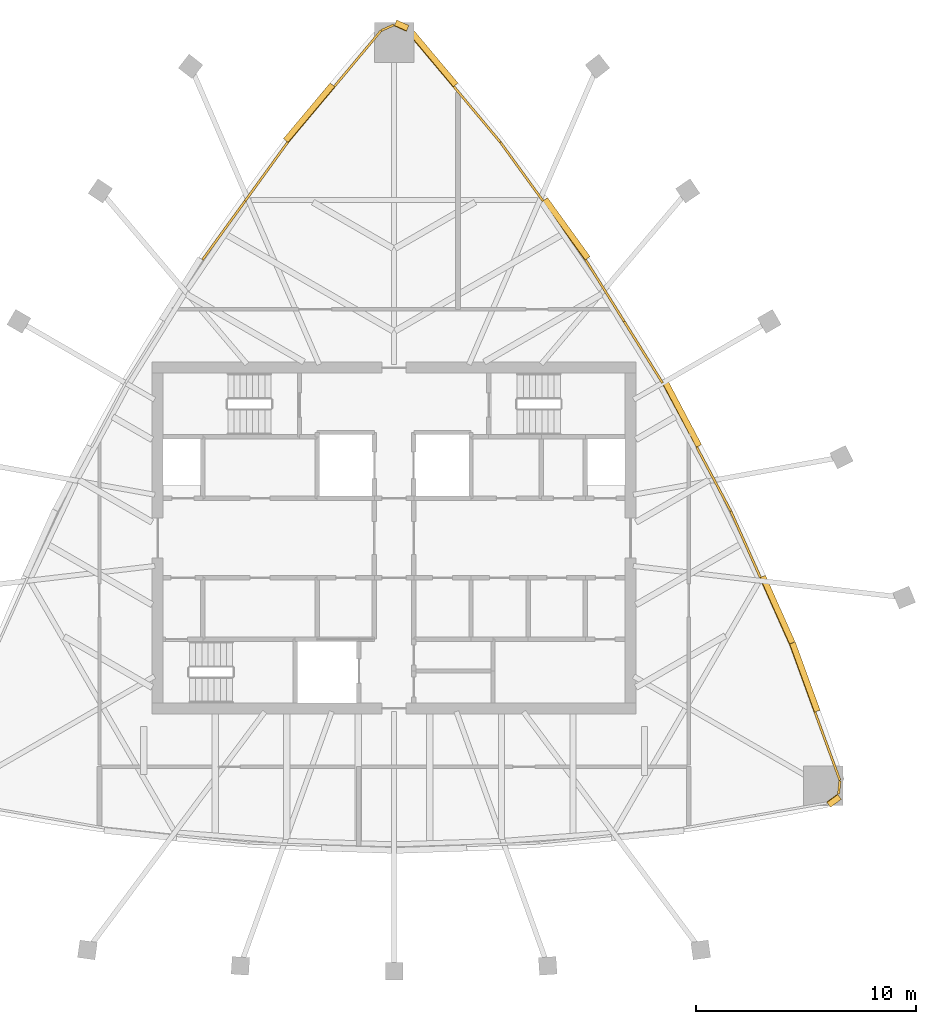
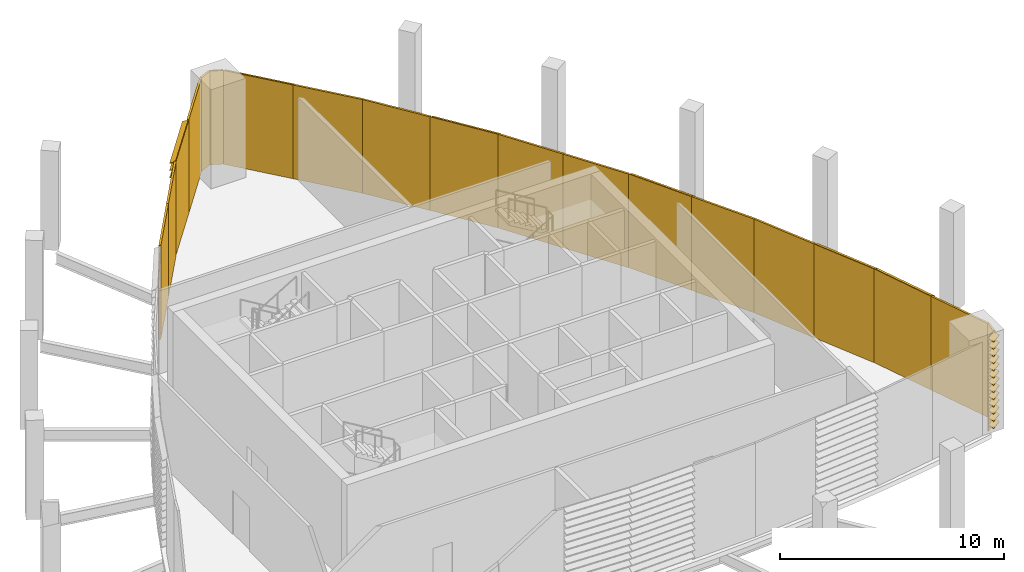
# One storey, part 8 of 8: 12 coverings, 8 shading devices.
"""IFC4 building model written with IfcOpenShell, lengths in metres."""

from ifc_helpers import new_model, si_unit, direction, frame, origin, place, context, subcontext, project, spatial, polyline, outline, extrude, material, layer, layer_set, type_object, element, save


model = new_model("IFC4")

# Units and contexts
model_context = context("Model", 3, precision=1e-05, world=origin(), true_north=direction((0.0, 1.0)))
body_context = subcontext(model_context, "Body", "Model", "MODEL_VIEW")
ifc_project = project(units=[si_unit("LENGTHUNIT", "METRE"), si_unit("AREAUNIT", "SQUARE_METRE"), si_unit("VOLUMEUNIT", "CUBIC_METRE"), si_unit("PLANEANGLEUNIT", "RADIAN"), si_unit("MASSUNIT", "GRAM", prefix="KILO")], contexts=[model_context])

# Site, building, storey
site_placement = place(None, origin())
site = spatial("IfcSite", under=ifc_project, at=site_placement, CompositionType="ELEMENT")
building_placement = place(site_placement, origin())
building = spatial("IfcBuilding", under=site, at=building_placement, Name="Sierra Prisma Convention Tower", CompositionType="ELEMENT")
storey_placement = place(building_placement, frame((0.0, 0.0, 344.800048828125)))
storey = spatial("IfcBuildingStorey", under=building, at=storey_placement, Name="L77", CompositionType="ELEMENT", Elevation=344.800048828125)

# Coverings
ifc_material_1 = material(Name="Aluminium composite bronze anodised", Category="aluminium")
ifc_layer = layer(ifc_material_1, 0.10009765625)
ifc_layer_set = layer_set([ifc_layer], Name="Bronze cladding panel")
covering_type = type_object("IfcCoveringType", Name="Bronze cladding panel", PredefinedType="CLADDING", material=ifc_layer_set)
covering_1_placement = place(storey_placement, origin())
element("IfcCovering", 1, at=covering_1_placement, inside=storey, type_object=covering_type, Name="Crown cladding L77.14", PredefinedType="CLADDING", context=body_context, shape_type="SweptSolid", body=[
    extrude(outline(polyline([(20.163330078125, -11.641357421875), (20.2265625, -11.033203125), (20.326171875, -11.043701171875), (20.2626953125, -11.651611328125), (20.163330078125, -11.641357421875)])), origin(), (0.0, 0.0, 1.0), 5.099853515625),
])
covering_2_placement = place(storey_placement, origin())
element("IfcCovering", 2, at=covering_2_placement, inside=storey, type_object=covering_type, Name="Crown cladding L77.15", PredefinedType="CLADDING", context=body_context, shape_type="SweptSolid", body=[
    extrude(outline(polyline([(20.2265625, -11.033203125), (19.093017578125, -7.932861328125), (19.18701171875, -7.8984375), (20.320556640625, -10.9990234375), (20.2265625, -11.033203125)])), origin(), (0.0, 0.0, 1.0), 5.099853515625),
])
covering_3_placement = place(storey_placement, origin())
element("IfcCovering", 3, at=covering_3_placement, inside=storey, type_object=covering_type, Name="Crown cladding L77.18", PredefinedType="CLADDING", context=body_context, shape_type="SweptSolid", body=[
    extrude(outline(polyline([(16.6142578125, -1.818115234375), (15.268798828125, 1.196533203125), (15.360107421875, 1.2373046875), (16.70556640625, -1.77734375), (16.6142578125, -1.818115234375)])), origin(), (0.0, 0.0, 1.0), 5.099853515625),
])
covering_4_placement = place(storey_placement, origin())
element("IfcCovering", 4, at=covering_4_placement, inside=storey, type_object=covering_type, Name="Crown cladding L77.19", PredefinedType="CLADDING", context=body_context, shape_type="SweptSolid", body=[
    extrude(outline(polyline([(15.268798828125, 1.196533203125), (13.71826171875, 4.11083984375), (13.806640625, 4.15771484375), (15.357177734375, 1.243408203125), (15.268798828125, 1.196533203125)])), origin(), (0.0, 0.0, 1.0), 5.099853515625),
])
covering_5_placement = place(storey_placement, origin())
element("IfcCovering", 5, at=covering_5_placement, inside=storey, type_object=covering_type, Name="Crown cladding L77.21", PredefinedType="CLADDING", context=body_context, shape_type="SweptSolid", body=[
    extrude(outline(polyline([(12.167724609375, 7.02490234375), (10.419189453125, 9.824951171875), (10.50390625, 9.8779296875), (12.25244140625, 7.077880859375), (12.167724609375, 7.02490234375)])), origin(), (0.0, 0.0, 1.0), 5.099853515625),
])
covering_6_placement = place(storey_placement, origin())
element("IfcCovering", 6, at=covering_6_placement, inside=storey, type_object=covering_type, Name="Crown cladding L77.22", PredefinedType="CLADDING", context=body_context, shape_type="SweptSolid", body=[
    extrude(outline(polyline([(10.419189453125, 9.824951171875), (8.670654296875, 12.625), (8.75537109375, 12.677978515625), (10.50390625, 9.8779296875), (10.419189453125, 9.824951171875)])), origin(), (0.0, 0.0, 1.0), 5.099853515625),
])
covering_7_placement = place(storey_placement, origin())
element("IfcCovering", 7, at=covering_7_placement, inside=storey, type_object=covering_type, Name="Crown cladding L77.24", PredefinedType="CLADDING", context=body_context, shape_type="SweptSolid", body=[
    extrude(outline(polyline([(6.732666015625, 15.29736328125), (4.794677734375, 17.9697265625), (4.875732421875, 18.0283203125), (6.813720703125, 15.35595703125), (6.732666015625, 15.29736328125)])), origin(), (0.0, 0.0, 1.0), 5.099853515625),
])
covering_8_placement = place(storey_placement, origin())
element("IfcCovering", 8, at=covering_8_placement, inside=storey, type_object=covering_type, Name="Crown cladding L77.25", PredefinedType="CLADDING", context=body_context, shape_type="SweptSolid", body=[
    extrude(outline(polyline([(4.794677734375, 17.9697265625), (2.676513671875, 20.50146484375), (2.753173828125, 20.565673828125), (4.871337890625, 18.033935546875), (4.794677734375, 17.9697265625)])), origin(), (0.0, 0.0, 1.0), 5.099853515625),
])
covering_9_placement = place(storey_placement, origin())
element("IfcCovering", 9, at=covering_9_placement, inside=storey, type_object=covering_type, Name="Crown cladding L77.28", PredefinedType="CLADDING", context=body_context, shape_type="SweptSolid", body=[
    extrude(outline(polyline([(0.0, 23.282470703125), (-0.558349609375, 23.033447265625), (-0.598876953125, 23.124755859375), (-0.040771484375, 23.373779296875), (0.0, 23.282470703125)])), origin(), (0.0, 0.0, 1.0), 5.099853515625),
])
covering_10_placement = place(storey_placement, origin())
element("IfcCovering", 10, at=covering_10_placement, inside=storey, type_object=covering_type, Name="Crown cladding L77.29", PredefinedType="CLADDING", context=body_context, shape_type="SweptSolid", body=[
    extrude(outline(polyline([(-0.558349609375, 23.033447265625), (-2.676513671875, 20.50146484375), (-2.753173828125, 20.565673828125), (-0.635009765625, 23.09765625), (-0.558349609375, 23.033447265625)])), origin(), (0.0, 0.0, 1.0), 5.099853515625),
])
covering_11_placement = place(storey_placement, origin())
element("IfcCovering", 11, at=covering_11_placement, inside=storey, type_object=covering_type, Name="Crown cladding L77.31", PredefinedType="CLADDING", context=body_context, shape_type="SweptSolid", body=[
    extrude(outline(polyline([(-4.794677734375, 17.9697265625), (-6.732666015625, 15.29736328125), (-6.813720703125, 15.35595703125), (-4.875732421875, 18.0283203125), (-4.794677734375, 17.9697265625)])), origin(), (0.0, 0.0, 1.0), 5.099853515625),
])
covering_12_placement = place(storey_placement, origin())
element("IfcCovering", 12, at=covering_12_placement, inside=storey, type_object=covering_type, Name="Crown cladding L77.32", PredefinedType="CLADDING", context=body_context, shape_type="SweptSolid", body=[
    extrude(outline(polyline([(-6.732666015625, 15.29736328125), (-8.670654296875, 12.625), (-8.751708984375, 12.68359375), (-6.813720703125, 15.35595703125), (-6.732666015625, 15.29736328125)])), origin(), (0.0, 0.0, 1.0), 5.099853515625),
])

# Shading devices
ifc_material_2 = material(Name="Aluminium 6063-T6 bronze anodised", Category="aluminium")
shading_device_type = type_object("IfcShadingDeviceType", Name="Louvre bay bronze", PredefinedType="USERDEFINED", material=ifc_material_2)
shading_device_1_placement = place(storey_placement, frame((19.66845703125, -12.000244140625, 0.0), z_axis=(-0.80907145328, -0.587710288738, 0.0), x_axis=(0.0, 0.0, 1.0)))
element("IfcShadingDevice", 13, at=shading_device_1_placement, inside=storey, type_object=shading_device_type, Name="Crown louvre L77.13", ObjectType="LOUVRE", PredefinedType="USERDEFINED", context=body_context, shape_type="SweptSolid", body=[
    extrude(outline(polyline([(0.0, 0.0), (5.099853515625, 0.0), (5.099853515625, -0.029886038736276314), (5.079833984375, -0.029886038736276314), (4.9599609375, -0.29979398016106773), (4.929931640625, -0.29979398016106773), (5.050048828125, -0.029886038736276314), (4.707763671875, -0.029886038736276314), (4.687744140625, -0.029886038736276314), (4.567626953125, -0.29979398016106773), (4.53759765625, -0.29979398016106773), (4.65771484375, -0.029886038736276314), (4.3154296875, -0.029886038736276314), (4.29541015625, -0.029886038736276314), (4.17529296875, -0.29979398016106773), (4.145263671875, -0.29979398016106773), (4.265380859375, -0.029886038736276314), (3.923095703125, -0.029886038736276314), (3.903076171875, -0.029886038736276314), (3.782958984375, -0.29979398016106773), (3.7529296875, -0.29979398016106773), (3.873046875, -0.029886038736276314), (3.53076171875, -0.029886038736276314), (3.5107421875, -0.029886038736276314), (3.390625, -0.29979398016106773), (3.36083984375, -0.29979398016106773), (3.480712890625, -0.029886038736276314), (3.138427734375, -0.029886038736276314), (3.118408203125, -0.029886038736276314), (2.998291015625, -0.29979398016106773), (2.968505859375, -0.29979398016106773), (3.08837890625, -0.029886038736276314), (2.74609375, -0.029886038736276314), (2.72607421875, -0.029886038736276314), (2.606201171875, -0.29979398016106773), (2.576171875, -0.29979398016106773), (2.696044921875, -0.029886038736276314), (2.353759765625, -0.029886038736276314), (2.333740234375, -0.029886038736276314), (2.2138671875, -0.29979398016106773), (2.183837890625, -0.29979398016106773), (2.3037109375, -0.029886038736276314), (1.96142578125, -0.029886038736276314), (1.94140625, -0.029886038736276314), (1.821533203125, -0.29979398016106773), (1.79150390625, -0.29979398016106773), (1.911376953125, -0.029886038736276314), (1.569091796875, -0.029886038736276314), (1.549072265625, -0.029886038736276314), (1.42919921875, -0.29979398016106773), (1.399169921875, -0.29979398016106773), (1.519287109375, -0.029886038736276314), (1.1767578125, -0.029886038736276314), (1.156982421875, -0.029886038736276314), (1.036865234375, -0.29979398016106773), (1.0068359375, -0.29979398016106773), (1.126953125, -0.029886038736276314), (0.78466796875, -0.029886038736276314), (0.7646484375, -0.029886038736276314), (0.64453125, -0.29979398016106773), (0.614501953125, -0.29979398016106773), (0.734619140625, -0.029886038736276314), (0.392333984375, -0.029886038736276314), (0.372314453125, -0.029886038736276314), (0.252197265625, -0.29979398016106773), (0.22216796875, -0.29979398016106773), (0.34228515625, -0.029886038736276314), (0.0, -0.029886038736276314), (0.0, 0.0)])), origin(), (0.0, 0.0, -1.0), 0.611328125),
])
shading_device_2_placement = place(storey_placement, frame((19.093017578125, -7.932861328125, 0.0), z_axis=(0.34179738765, -0.939773667324, 0.0), x_axis=(0.0, 0.0, 1.0)))
element("IfcShadingDevice", 14, at=shading_device_2_placement, inside=storey, type_object=shading_device_type, Name="Crown louvre L77.16", ObjectType="LOUVRE", PredefinedType="USERDEFINED", context=body_context, shape_type="SweptSolid", body=[
    extrude(outline(polyline([(0.0, 0.0), (5.099853515625, 0.0), (5.099853515625, -0.030119442307345274), (5.079833984375, -0.030119442307345274), (4.9599609375, -0.2999846947461468), (4.929931640625, -0.2999846947461468), (5.050048828125, -0.030119442307345274), (4.707763671875, -0.030119442307345274), (4.687744140625, -0.030119442307345274), (4.567626953125, -0.2999846947461468), (4.53759765625, -0.2999846947461468), (4.65771484375, -0.030119442307345274), (4.3154296875, -0.030119442307345274), (4.29541015625, -0.030119442307345274), (4.17529296875, -0.2999846947461468), (4.145263671875, -0.2999846947461468), (4.265380859375, -0.030119442307345274), (3.923095703125, -0.030119442307345274), (3.903076171875, -0.030119442307345274), (3.782958984375, -0.2999846947461468), (3.7529296875, -0.2999846947461468), (3.873046875, -0.030119442307345274), (3.53076171875, -0.030119442307345274), (3.5107421875, -0.030119442307345274), (3.390625, -0.2999846947461468), (3.36083984375, -0.2999846947461468), (3.480712890625, -0.030119442307345274), (3.138427734375, -0.030119442307345274), (3.118408203125, -0.030119442307345274), (2.998291015625, -0.2999846947461468), (2.968505859375, -0.2999846947461468), (3.08837890625, -0.030119442307345274), (2.74609375, -0.030119442307345274), (2.72607421875, -0.030119442307345274), (2.606201171875, -0.2999846947461468), (2.576171875, -0.2999846947461468), (2.696044921875, -0.030119442307345274), (2.353759765625, -0.030119442307345274), (2.333740234375, -0.030119442307345274), (2.2138671875, -0.2999846947461468), (2.183837890625, -0.2999846947461468), (2.3037109375, -0.030119442307345274), (1.96142578125, -0.030119442307345274), (1.94140625, -0.030119442307345274), (1.821533203125, -0.2999846947461468), (1.79150390625, -0.2999846947461468), (1.911376953125, -0.030119442307345274), (1.569091796875, -0.030119442307345274), (1.549072265625, -0.030119442307345274), (1.42919921875, -0.2999846947461468), (1.399169921875, -0.2999846947461468), (1.519287109375, -0.030119442307345274), (1.1767578125, -0.030119442307345274), (1.156982421875, -0.030119442307345274), (1.036865234375, -0.2999846947461468), (1.0068359375, -0.2999846947461468), (1.126953125, -0.030119442307345274), (0.78466796875, -0.030119442307345274), (0.7646484375, -0.030119442307345274), (0.64453125, -0.2999846947461468), (0.614501953125, -0.2999846947461468), (0.734619140625, -0.030119442307345274), (0.392333984375, -0.030119442307345274), (0.372314453125, -0.030119442307345274), (0.252197265625, -0.2999846947461468), (0.22216796875, -0.2999846947461468), (0.34228515625, -0.030119442307345274), (0.0, -0.030119442307345274), (0.0, 0.0)])), origin(), (0.0, 0.0, -1.0), 3.301025390625),
])
shading_device_3_placement = place(storey_placement, frame((17.95947265625, -4.83251953125, 0.0), z_axis=(0.407683800637, -0.913123167321, 0.0), x_axis=(0.0, 0.0, 1.0)))
element("IfcShadingDevice", 15, at=shading_device_3_placement, inside=storey, type_object=shading_device_type, Name="Crown louvre L77.17", ObjectType="LOUVRE", PredefinedType="USERDEFINED", context=body_context, shape_type="SweptSolid", body=[
    extrude(outline(polyline([(0.0, 0.0), (5.099853515625, 0.0), (5.099853515625, -0.029944820500925767), (5.079833984375, -0.029944820500925767), (4.9599609375, -0.2999935981086909), (4.929931640625, -0.2999935981086909), (5.050048828125, -0.029944820500925767), (4.707763671875, -0.029944820500925767), (4.687744140625, -0.029944820500925767), (4.567626953125, -0.2999935981086909), (4.53759765625, -0.2999935981086909), (4.65771484375, -0.029944820500925767), (4.3154296875, -0.029944820500925767), (4.29541015625, -0.029944820500925767), (4.17529296875, -0.2999935981086909), (4.145263671875, -0.2999935981086909), (4.265380859375, -0.029944820500925767), (3.923095703125, -0.029944820500925767), (3.903076171875, -0.029944820500925767), (3.782958984375, -0.2999935981086909), (3.7529296875, -0.2999935981086909), (3.873046875, -0.029944820500925767), (3.53076171875, -0.029944820500925767), (3.5107421875, -0.029944820500925767), (3.390625, -0.2999935981086909), (3.36083984375, -0.2999935981086909), (3.480712890625, -0.029944820500925767), (3.138427734375, -0.029944820500925767), (3.118408203125, -0.029944820500925767), (2.998291015625, -0.2999935981086909), (2.968505859375, -0.2999935981086909), (3.08837890625, -0.029944820500925767), (2.74609375, -0.029944820500925767), (2.72607421875, -0.029944820500925767), (2.606201171875, -0.2999935981086909), (2.576171875, -0.2999935981086909), (2.696044921875, -0.029944820500925767), (2.353759765625, -0.029944820500925767), (2.333740234375, -0.029944820500925767), (2.2138671875, -0.2999935981086909), (2.183837890625, -0.2999935981086909), (2.3037109375, -0.029944820500925767), (1.96142578125, -0.029944820500925767), (1.94140625, -0.029944820500925767), (1.821533203125, -0.2999935981086909), (1.79150390625, -0.2999935981086909), (1.911376953125, -0.029944820500925767), (1.569091796875, -0.029944820500925767), (1.549072265625, -0.029944820500925767), (1.42919921875, -0.2999935981086909), (1.399169921875, -0.2999935981086909), (1.519287109375, -0.029944820500925767), (1.1767578125, -0.029944820500925767), (1.156982421875, -0.029944820500925767), (1.036865234375, -0.2999935981086909), (1.0068359375, -0.2999935981086909), (1.126953125, -0.029944820500925767), (0.78466796875, -0.029944820500925767), (0.7646484375, -0.029944820500925767), (0.64453125, -0.2999935981086909), (0.614501953125, -0.2999935981086909), (0.734619140625, -0.029944820500925767), (0.392333984375, -0.029944820500925767), (0.372314453125, -0.029944820500925767), (0.252197265625, -0.2999935981086909), (0.22216796875, -0.2999935981086909), (0.34228515625, -0.029944820500925767), (0.0, -0.029944820500925767), (0.0, 0.0)])), origin(), (0.0, 0.0, -1.0), 3.301025390625),
])
shading_device_4_placement = place(storey_placement, frame((13.71826171875, 4.11083984375, 0.0), z_axis=(0.466178127469, -0.884690880178, 0.0), x_axis=(0.0, 0.0, 1.0)))
element("IfcShadingDevice", 16, at=shading_device_4_placement, inside=storey, type_object=shading_device_type, Name="Crown louvre L77.20", ObjectType="LOUVRE", PredefinedType="USERDEFINED", context=body_context, shape_type="SweptSolid", body=[
    extrude(outline(polyline([(0.0, 0.0), (5.099853515625, 0.0), (5.099853515625, -0.03003014140749427), (5.079833984375, -0.03003014140749427), (4.9599609375, -0.3000181602886611), (4.929931640625, -0.3000181602886611), (5.050048828125, -0.03003014140749427), (4.707763671875, -0.03003014140749427), (4.687744140625, -0.03003014140749427), (4.567626953125, -0.3000181602886611), (4.53759765625, -0.3000181602886611), (4.65771484375, -0.03003014140749427), (4.3154296875, -0.03003014140749427), (4.29541015625, -0.03003014140749427), (4.17529296875, -0.3000181602886611), (4.145263671875, -0.3000181602886611), (4.265380859375, -0.03003014140749427), (3.923095703125, -0.03003014140749427), (3.903076171875, -0.03003014140749427), (3.782958984375, -0.3000181602886611), (3.7529296875, -0.3000181602886611), (3.873046875, -0.03003014140749427), (3.53076171875, -0.03003014140749427), (3.5107421875, -0.03003014140749427), (3.390625, -0.3000181602886611), (3.36083984375, -0.3000181602886611), (3.480712890625, -0.03003014140749427), (3.138427734375, -0.03003014140749427), (3.118408203125, -0.03003014140749427), (2.998291015625, -0.3000181602886611), (2.968505859375, -0.3000181602886611), (3.08837890625, -0.03003014140749427), (2.74609375, -0.03003014140749427), (2.72607421875, -0.03003014140749427), (2.606201171875, -0.3000181602886611), (2.576171875, -0.3000181602886611), (2.696044921875, -0.03003014140749427), (2.353759765625, -0.03003014140749427), (2.333740234375, -0.03003014140749427), (2.2138671875, -0.3000181602886611), (2.183837890625, -0.3000181602886611), (2.3037109375, -0.03003014140749427), (1.96142578125, -0.03003014140749427), (1.94140625, -0.03003014140749427), (1.821533203125, -0.3000181602886611), (1.79150390625, -0.3000181602886611), (1.911376953125, -0.03003014140749427), (1.569091796875, -0.03003014140749427), (1.549072265625, -0.03003014140749427), (1.42919921875, -0.3000181602886611), (1.399169921875, -0.3000181602886611), (1.519287109375, -0.03003014140749427), (1.1767578125, -0.03003014140749427), (1.156982421875, -0.03003014140749427), (1.036865234375, -0.3000181602886611), (1.0068359375, -0.3000181602886611), (1.126953125, -0.03003014140749427), (0.78466796875, -0.03003014140749427), (0.7646484375, -0.03003014140749427), (0.64453125, -0.3000181602886611), (0.614501953125, -0.3000181602886611), (0.734619140625, -0.03003014140749427), (0.392333984375, -0.03003014140749427), (0.372314453125, -0.03003014140749427), (0.252197265625, -0.3000181602886611), (0.22216796875, -0.3000181602886611), (0.34228515625, -0.03003014140749427), (0.0, -0.03003014140749427), (0.0, 0.0)])), origin(), (0.0, 0.0, -1.0), 3.301025390625),
])
shading_device_5_placement = place(storey_placement, frame((8.670654296875, 12.625, 0.0), z_axis=(0.585419061529, -0.810730856942, 0.0), x_axis=(0.0, 0.0, 1.0)))
element("IfcShadingDevice", 17, at=shading_device_5_placement, inside=storey, type_object=shading_device_type, Name="Crown louvre L77.23", ObjectType="LOUVRE", PredefinedType="USERDEFINED", context=body_context, shape_type="SweptSolid", body=[
    extrude(outline(polyline([(0.0, 0.0), (5.099853515625, 0.0), (5.099853515625, -0.03008380325300895), (5.079833984375, -0.03008380325300895), (4.9599609375, -0.2999912954150549), (4.929931640625, -0.2999912954150549), (5.050048828125, -0.03008380325300895), (4.707763671875, -0.03008380325300895), (4.687744140625, -0.03008380325300895), (4.567626953125, -0.2999912954150549), (4.53759765625, -0.2999912954150549), (4.65771484375, -0.03008380325300895), (4.3154296875, -0.03008380325300895), (4.29541015625, -0.03008380325300895), (4.17529296875, -0.2999912954150549), (4.145263671875, -0.2999912954150549), (4.265380859375, -0.03008380325300895), (3.923095703125, -0.03008380325300895), (3.903076171875, -0.03008380325300895), (3.782958984375, -0.2999912954150549), (3.7529296875, -0.2999912954150549), (3.873046875, -0.03008380325300895), (3.53076171875, -0.03008380325300895), (3.5107421875, -0.03008380325300895), (3.390625, -0.2999912954150549), (3.36083984375, -0.2999912954150549), (3.480712890625, -0.03008380325300895), (3.138427734375, -0.03008380325300895), (3.118408203125, -0.03008380325300895), (2.998291015625, -0.2999912954150549), (2.968505859375, -0.2999912954150549), (3.08837890625, -0.03008380325300895), (2.74609375, -0.03008380325300895), (2.72607421875, -0.03008380325300895), (2.606201171875, -0.2999912954150549), (2.576171875, -0.2999912954150549), (2.696044921875, -0.03008380325300895), (2.353759765625, -0.03008380325300895), (2.333740234375, -0.03008380325300895), (2.2138671875, -0.2999912954150549), (2.183837890625, -0.2999912954150549), (2.3037109375, -0.03008380325300895), (1.96142578125, -0.03008380325300895), (1.94140625, -0.03008380325300895), (1.821533203125, -0.2999912954150549), (1.79150390625, -0.2999912954150549), (1.911376953125, -0.03008380325300895), (1.569091796875, -0.03008380325300895), (1.549072265625, -0.03008380325300895), (1.42919921875, -0.2999912954150549), (1.399169921875, -0.2999912954150549), (1.519287109375, -0.03008380325300895), (1.1767578125, -0.03008380325300895), (1.156982421875, -0.03008380325300895), (1.036865234375, -0.2999912954150549), (1.0068359375, -0.2999912954150549), (1.126953125, -0.03008380325300895), (0.78466796875, -0.03008380325300895), (0.7646484375, -0.03008380325300895), (0.64453125, -0.2999912954150549), (0.614501953125, -0.2999912954150549), (0.734619140625, -0.03008380325300895), (0.392333984375, -0.03008380325300895), (0.372314453125, -0.03008380325300895), (0.252197265625, -0.2999912954150549), (0.22216796875, -0.2999912954150549), (0.34228515625, -0.03008380325300895), (0.0, -0.03008380325300895), (0.0, 0.0)])), origin(), (0.0, 0.0, -1.0), 3.301025390625),
])
shading_device_6_placement = place(storey_placement, frame((2.676513671875, 20.50146484375, 0.0), z_axis=(0.642803567811, -0.76603105238, 0.0), x_axis=(0.0, 0.0, 1.0)))
element("IfcShadingDevice", 18, at=shading_device_6_placement, inside=storey, type_object=shading_device_type, Name="Crown louvre L77.26", ObjectType="LOUVRE", PredefinedType="USERDEFINED", context=body_context, shape_type="SweptSolid", body=[
    extrude(outline(polyline([(0.0, 0.0), (5.099853515625, 0.0), (5.099853515625, -0.029977636909357914), (5.079833984375, -0.029977636909357914), (4.9599609375, -0.2999934732285763), (4.929931640625, -0.2999934732285763), (5.050048828125, -0.029977636909357914), (4.707763671875, -0.029977636909357914), (4.687744140625, -0.029977636909357914), (4.567626953125, -0.2999934732285763), (4.53759765625, -0.2999934732285763), (4.65771484375, -0.029977636909357914), (4.3154296875, -0.029977636909357914), (4.29541015625, -0.029977636909357914), (4.17529296875, -0.2999934732285763), (4.145263671875, -0.2999934732285763), (4.265380859375, -0.029977636909357914), (3.923095703125, -0.029977636909357914), (3.903076171875, -0.029977636909357914), (3.782958984375, -0.2999934732285763), (3.7529296875, -0.2999934732285763), (3.873046875, -0.029977636909357914), (3.53076171875, -0.029977636909357914), (3.5107421875, -0.029977636909357914), (3.390625, -0.2999934732285763), (3.36083984375, -0.2999934732285763), (3.480712890625, -0.029977636909357914), (3.138427734375, -0.029977636909357914), (3.118408203125, -0.029977636909357914), (2.998291015625, -0.2999934732285763), (2.968505859375, -0.2999934732285763), (3.08837890625, -0.029977636909357914), (2.74609375, -0.029977636909357914), (2.72607421875, -0.029977636909357914), (2.606201171875, -0.2999934732285763), (2.576171875, -0.2999934732285763), (2.696044921875, -0.029977636909357914), (2.353759765625, -0.029977636909357914), (2.333740234375, -0.029977636909357914), (2.2138671875, -0.2999934732285763), (2.183837890625, -0.2999934732285763), (2.3037109375, -0.029977636909357914), (1.96142578125, -0.029977636909357914), (1.94140625, -0.029977636909357914), (1.821533203125, -0.2999934732285763), (1.79150390625, -0.2999934732285763), (1.911376953125, -0.029977636909357914), (1.569091796875, -0.029977636909357914), (1.549072265625, -0.029977636909357914), (1.42919921875, -0.2999934732285763), (1.399169921875, -0.2999934732285763), (1.519287109375, -0.029977636909357914), (1.1767578125, -0.029977636909357914), (1.156982421875, -0.029977636909357914), (1.036865234375, -0.2999934732285763), (1.0068359375, -0.2999934732285763), (1.126953125, -0.029977636909357914), (0.78466796875, -0.029977636909357914), (0.7646484375, -0.029977636909357914), (0.64453125, -0.2999934732285763), (0.614501953125, -0.2999934732285763), (0.734619140625, -0.029977636909357914), (0.392333984375, -0.029977636909357914), (0.372314453125, -0.029977636909357914), (0.252197265625, -0.2999934732285763), (0.22216796875, -0.2999934732285763), (0.34228515625, -0.029977636909357914), (0.0, -0.029977636909357914), (0.0, 0.0)])), origin(), (0.0, 0.0, -1.0), 3.301025390625),
])
shading_device_7_placement = place(storey_placement, frame((0.558349609375, 23.033447265625, 0.0), z_axis=(0.913260480568, -0.40737610955, 0.0), x_axis=(0.0, 0.0, 1.0)))
element("IfcShadingDevice", 19, at=shading_device_7_placement, inside=storey, type_object=shading_device_type, Name="Crown louvre L77.27", ObjectType="LOUVRE", PredefinedType="USERDEFINED", context=body_context, shape_type="SweptSolid", body=[
    extrude(outline(polyline([(0.0, 0.0), (5.099853515625, 0.0), (5.099853515625, -0.029944819165320692), (5.079833984375, -0.029944819165320692), (4.9599609375, -0.29989411962223433), (4.929931640625, -0.29989411962223433), (5.050048828125, -0.029944819165320692), (4.707763671875, -0.029944819165320692), (4.687744140625, -0.029944819165320692), (4.567626953125, -0.29989411962223433), (4.53759765625, -0.29989411962223433), (4.65771484375, -0.029944819165320692), (4.3154296875, -0.029944819165320692), (4.29541015625, -0.029944819165320692), (4.17529296875, -0.29989411962223433), (4.145263671875, -0.29989411962223433), (4.265380859375, -0.029944819165320692), (3.923095703125, -0.029944819165320692), (3.903076171875, -0.029944819165320692), (3.782958984375, -0.29989411962223433), (3.7529296875, -0.29989411962223433), (3.873046875, -0.029944819165320692), (3.53076171875, -0.029944819165320692), (3.5107421875, -0.029944819165320692), (3.390625, -0.29989411962223433), (3.36083984375, -0.29989411962223433), (3.480712890625, -0.029944819165320692), (3.138427734375, -0.029944819165320692), (3.118408203125, -0.029944819165320692), (2.998291015625, -0.29989411962223433), (2.968505859375, -0.29989411962223433), (3.08837890625, -0.029944819165320692), (2.74609375, -0.029944819165320692), (2.72607421875, -0.029944819165320692), (2.606201171875, -0.29989411962223433), (2.576171875, -0.29989411962223433), (2.696044921875, -0.029944819165320692), (2.353759765625, -0.029944819165320692), (2.333740234375, -0.029944819165320692), (2.2138671875, -0.29989411962223433), (2.183837890625, -0.29989411962223433), (2.3037109375, -0.029944819165320692), (1.96142578125, -0.029944819165320692), (1.94140625, -0.029944819165320692), (1.821533203125, -0.29989411962223433), (1.79150390625, -0.29989411962223433), (1.911376953125, -0.029944819165320692), (1.569091796875, -0.029944819165320692), (1.549072265625, -0.029944819165320692), (1.42919921875, -0.29989411962223433), (1.399169921875, -0.29989411962223433), (1.519287109375, -0.029944819165320692), (1.1767578125, -0.029944819165320692), (1.156982421875, -0.029944819165320692), (1.036865234375, -0.29989411962223433), (1.0068359375, -0.29989411962223433), (1.126953125, -0.029944819165320692), (0.78466796875, -0.029944819165320692), (0.7646484375, -0.029944819165320692), (0.64453125, -0.29989411962223433), (0.614501953125, -0.29989411962223433), (0.734619140625, -0.029944819165320692), (0.392333984375, -0.029944819165320692), (0.372314453125, -0.029944819165320692), (0.252197265625, -0.29989411962223433), (0.22216796875, -0.29989411962223433), (0.34228515625, -0.029944819165320692), (0.0, -0.029944819165320692), (0.0, 0.0)])), origin(), (0.0, 0.0, -1.0), 0.611328125),
])
shading_device_8_placement = place(storey_placement, frame((-2.676513671875, 20.50146484375, 0.0), z_axis=(0.642803567811, 0.76603105238, 0.0), x_axis=(0.0, 0.0, 1.0)))
element("IfcShadingDevice", 20, at=shading_device_8_placement, inside=storey, type_object=shading_device_type, Name="Crown louvre L77.30", ObjectType="LOUVRE", PredefinedType="USERDEFINED", context=body_context, shape_type="SweptSolid", body=[
    extrude(outline(polyline([(0.0, 0.0), (5.099853515625, 0.0), (5.099853515625, -0.029977636909357914), (5.079833984375, -0.029977636909357914), (4.9599609375, -0.2999934732285763), (4.929931640625, -0.2999934732285763), (5.050048828125, -0.029977636909357914), (4.707763671875, -0.029977636909357914), (4.687744140625, -0.029977636909357914), (4.567626953125, -0.2999934732285763), (4.53759765625, -0.2999934732285763), (4.65771484375, -0.029977636909357914), (4.3154296875, -0.029977636909357914), (4.29541015625, -0.029977636909357914), (4.17529296875, -0.2999934732285763), (4.145263671875, -0.2999934732285763), (4.265380859375, -0.029977636909357914), (3.923095703125, -0.029977636909357914), (3.903076171875, -0.029977636909357914), (3.782958984375, -0.2999934732285763), (3.7529296875, -0.2999934732285763), (3.873046875, -0.029977636909357914), (3.53076171875, -0.029977636909357914), (3.5107421875, -0.029977636909357914), (3.390625, -0.2999934732285763), (3.36083984375, -0.2999934732285763), (3.480712890625, -0.029977636909357914), (3.138427734375, -0.029977636909357914), (3.118408203125, -0.029977636909357914), (2.998291015625, -0.2999934732285763), (2.968505859375, -0.2999934732285763), (3.08837890625, -0.029977636909357914), (2.74609375, -0.029977636909357914), (2.72607421875, -0.029977636909357914), (2.606201171875, -0.2999934732285763), (2.576171875, -0.2999934732285763), (2.696044921875, -0.029977636909357914), (2.353759765625, -0.029977636909357914), (2.333740234375, -0.029977636909357914), (2.2138671875, -0.2999934732285763), (2.183837890625, -0.2999934732285763), (2.3037109375, -0.029977636909357914), (1.96142578125, -0.029977636909357914), (1.94140625, -0.029977636909357914), (1.821533203125, -0.2999934732285763), (1.79150390625, -0.2999934732285763), (1.911376953125, -0.029977636909357914), (1.569091796875, -0.029977636909357914), (1.549072265625, -0.029977636909357914), (1.42919921875, -0.2999934732285763), (1.399169921875, -0.2999934732285763), (1.519287109375, -0.029977636909357914), (1.1767578125, -0.029977636909357914), (1.156982421875, -0.029977636909357914), (1.036865234375, -0.2999934732285763), (1.0068359375, -0.2999934732285763), (1.126953125, -0.029977636909357914), (0.78466796875, -0.029977636909357914), (0.7646484375, -0.029977636909357914), (0.64453125, -0.2999934732285763), (0.614501953125, -0.2999934732285763), (0.734619140625, -0.029977636909357914), (0.392333984375, -0.029977636909357914), (0.372314453125, -0.029977636909357914), (0.252197265625, -0.2999934732285763), (0.22216796875, -0.2999934732285763), (0.34228515625, -0.029977636909357914), (0.0, -0.029977636909357914), (0.0, 0.0)])), origin(), (0.0, 0.0, -1.0), 3.301025390625),
])

save(model, "model.ifc")
